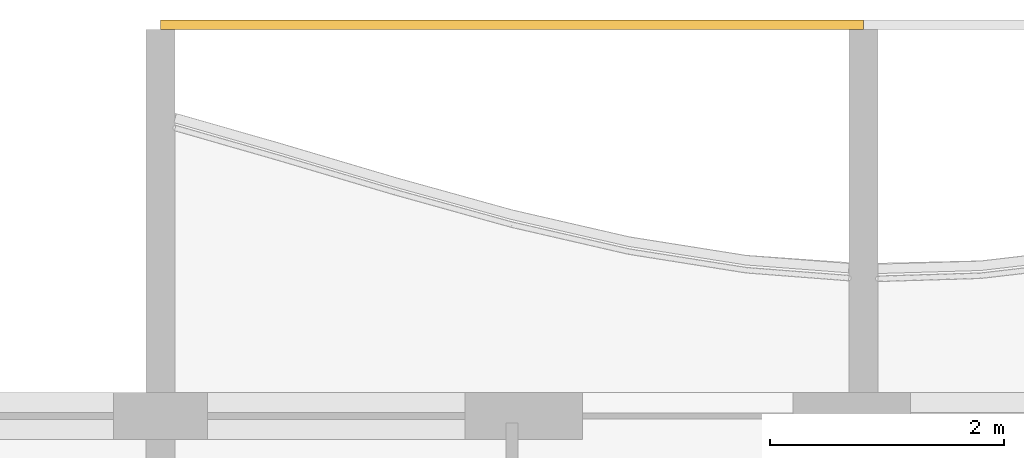
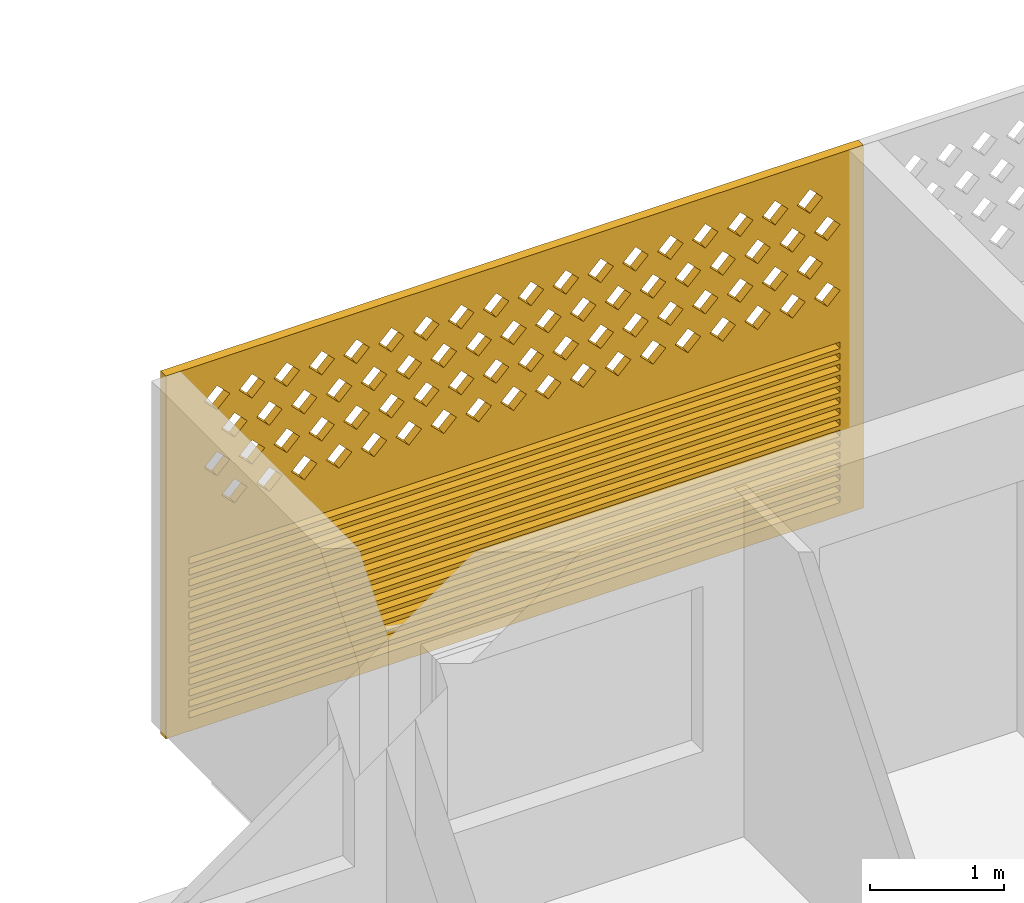
# One storey, part 19 of 29: 1 covering.
"""IFC4 building model written with IfcOpenShell, lengths in metres."""

from ifc_helpers import new_model, si_unit, direction, frame, origin, place, context, subcontext, project, spatial, polyline, outline, extrude, source, transform, mapped, material, material_profile, profile_set, type_object, element, save


model = new_model("IFC4")

# Units and contexts
model_context = context("Model", 3, precision=1e-05, world=origin(), true_north=direction((0.0, 1.0)))
body_context = subcontext(model_context, "Body", "Model", "MODEL_VIEW")
ifc_project = project(units=[si_unit("LENGTHUNIT", "METRE"), si_unit("AREAUNIT", "SQUARE_METRE"), si_unit("VOLUMEUNIT", "CUBIC_METRE"), si_unit("PLANEANGLEUNIT", "RADIAN"), si_unit("MASSUNIT", "GRAM", prefix="KILO")], contexts=[model_context])

# Site, building, storey
site_placement = place(None, origin())
site = spatial("IfcSite", under=ifc_project, at=site_placement, CompositionType="ELEMENT")
building_placement = place(site_placement, origin())
building = spatial("IfcBuilding", under=site, at=building_placement, Name="Poui Terraces", CompositionType="ELEMENT")
storey_placement = place(building_placement, frame((0.0, 0.0, 231.300048828125)))
storey = spatial("IfcBuildingStorey", under=building, at=storey_placement, Name="L64", CompositionType="ELEMENT", Elevation=231.300048828125)

# Covering
ifc_material = material(Name="Terracotta screen", Category="masonry")
ifc_material_profile = material_profile(ifc_material, outline(polyline([(-3.0, -1.64990234375), (3.0, -1.64990234375), (3.0, 1.64990234375), (-3.0, 1.64990234375), (-3.0, -1.64990234375)]), holes=[polyline([(-2.800048828125, 0.39990234375), (-2.68994140625, 0.2900390625), (-2.580078125, 0.39990234375), (-2.68994140625, 0.510009765625), (-2.800048828125, 0.39990234375)]), polyline([(-2.5, 0.39990234375), (-2.389892578125, 0.2900390625), (-2.280029296875, 0.39990234375), (-2.389892578125, 0.510009765625), (-2.5, 0.39990234375)]), polyline([(-2.199951171875, 0.39990234375), (-2.090087890625, 0.2900390625), (-1.97998046875, 0.39990234375), (-2.090087890625, 0.510009765625), (-2.199951171875, 0.39990234375)]), polyline([(-1.89990234375, 0.39990234375), (-1.7900390625, 0.2900390625), (-1.679931640625, 0.39990234375), (-1.7900390625, 0.510009765625), (-1.89990234375, 0.39990234375)]), polyline([(-1.60009765625, 0.39990234375), (-1.489990234375, 0.2900390625), (-1.3798828125, 0.39990234375), (-1.489990234375, 0.510009765625), (-1.60009765625, 0.39990234375)]), polyline([(-1.300048828125, 0.39990234375), (-1.18994140625, 0.2900390625), (-1.080078125, 0.39990234375), (-1.18994140625, 0.510009765625), (-1.300048828125, 0.39990234375)]), polyline([(-1.0, 0.39990234375), (-0.889892578125, 0.2900390625), (-0.780029296875, 0.39990234375), (-0.889892578125, 0.510009765625), (-1.0, 0.39990234375)]), polyline([(-0.699951171875, 0.39990234375), (-0.590087890625, 0.2900390625), (-0.47998046875, 0.39990234375), (-0.590087890625, 0.510009765625), (-0.699951171875, 0.39990234375)]), polyline([(-0.39990234375, 0.39990234375), (-0.2900390625, 0.2900390625), (-0.179931640625, 0.39990234375), (-0.2900390625, 0.510009765625), (-0.39990234375, 0.39990234375)]), polyline([(-0.10009765625, 0.39990234375), (0.010009765625, 0.2900390625), (0.1201171875, 0.39990234375), (0.010009765625, 0.510009765625), (-0.10009765625, 0.39990234375)]), polyline([(0.199951171875, 0.39990234375), (0.31005859375, 0.2900390625), (0.419921875, 0.39990234375), (0.31005859375, 0.510009765625), (0.199951171875, 0.39990234375)]), polyline([(0.5, 0.39990234375), (0.610107421875, 0.2900390625), (0.719970703125, 0.39990234375), (0.610107421875, 0.510009765625), (0.5, 0.39990234375)]), polyline([(0.800048828125, 0.39990234375), (0.909912109375, 0.2900390625), (1.02001953125, 0.39990234375), (0.909912109375, 0.510009765625), (0.800048828125, 0.39990234375)]), polyline([(1.10009765625, 0.39990234375), (1.2099609375, 0.2900390625), (1.320068359375, 0.39990234375), (1.2099609375, 0.510009765625), (1.10009765625, 0.39990234375)]), polyline([(1.39990234375, 0.39990234375), (1.510009765625, 0.2900390625), (1.6201171875, 0.39990234375), (1.510009765625, 0.510009765625), (1.39990234375, 0.39990234375)]), polyline([(1.699951171875, 0.39990234375), (1.81005859375, 0.2900390625), (1.919921875, 0.39990234375), (1.81005859375, 0.510009765625), (1.699951171875, 0.39990234375)]), polyline([(2.0, 0.39990234375), (2.110107421875, 0.2900390625), (2.219970703125, 0.39990234375), (2.110107421875, 0.510009765625), (2.0, 0.39990234375)]), polyline([(2.300048828125, 0.39990234375), (2.409912109375, 0.2900390625), (2.52001953125, 0.39990234375), (2.409912109375, 0.510009765625), (2.300048828125, 0.39990234375)]), polyline([(-2.64990234375, 0.699951171875), (-2.5400390625, 0.590087890625), (-2.429931640625, 0.699951171875), (-2.5400390625, 0.81005859375), (-2.64990234375, 0.699951171875)]), polyline([(-2.35009765625, 0.699951171875), (-2.239990234375, 0.590087890625), (-2.1298828125, 0.699951171875), (-2.239990234375, 0.81005859375), (-2.35009765625, 0.699951171875)]), polyline([(-2.050048828125, 0.699951171875), (-1.93994140625, 0.590087890625), (-1.830078125, 0.699951171875), (-1.93994140625, 0.81005859375), (-2.050048828125, 0.699951171875)]), polyline([(-1.75, 0.699951171875), (-1.639892578125, 0.590087890625), (-1.530029296875, 0.699951171875), (-1.639892578125, 0.81005859375), (-1.75, 0.699951171875)]), polyline([(-1.449951171875, 0.699951171875), (-1.340087890625, 0.590087890625), (-1.22998046875, 0.699951171875), (-1.340087890625, 0.81005859375), (-1.449951171875, 0.699951171875)]), polyline([(-1.14990234375, 0.699951171875), (-1.0400390625, 0.590087890625), (-0.929931640625, 0.699951171875), (-1.0400390625, 0.81005859375), (-1.14990234375, 0.699951171875)]), polyline([(-0.85009765625, 0.699951171875), (-0.739990234375, 0.590087890625), (-0.6298828125, 0.699951171875), (-0.739990234375, 0.81005859375), (-0.85009765625, 0.699951171875)]), polyline([(-0.550048828125, 0.699951171875), (-0.43994140625, 0.590087890625), (-0.330078125, 0.699951171875), (-0.43994140625, 0.81005859375), (-0.550048828125, 0.699951171875)]), polyline([(-0.25, 0.699951171875), (-0.139892578125, 0.590087890625), (-0.030029296875, 0.699951171875), (-0.139892578125, 0.81005859375), (-0.25, 0.699951171875)]), polyline([(0.050048828125, 0.699951171875), (0.159912109375, 0.590087890625), (0.27001953125, 0.699951171875), (0.159912109375, 0.81005859375), (0.050048828125, 0.699951171875)]), polyline([(0.35009765625, 0.699951171875), (0.4599609375, 0.590087890625), (0.570068359375, 0.699951171875), (0.4599609375, 0.81005859375), (0.35009765625, 0.699951171875)]), polyline([(0.64990234375, 0.699951171875), (0.760009765625, 0.590087890625), (0.8701171875, 0.699951171875), (0.760009765625, 0.81005859375), (0.64990234375, 0.699951171875)]), polyline([(0.949951171875, 0.699951171875), (1.06005859375, 0.590087890625), (1.169921875, 0.699951171875), (1.06005859375, 0.81005859375), (0.949951171875, 0.699951171875)]), polyline([(1.25, 0.699951171875), (1.360107421875, 0.590087890625), (1.469970703125, 0.699951171875), (1.360107421875, 0.81005859375), (1.25, 0.699951171875)]), polyline([(1.550048828125, 0.699951171875), (1.659912109375, 0.590087890625), (1.77001953125, 0.699951171875), (1.659912109375, 0.81005859375), (1.550048828125, 0.699951171875)]), polyline([(1.85009765625, 0.699951171875), (1.9599609375, 0.590087890625), (2.070068359375, 0.699951171875), (1.9599609375, 0.81005859375), (1.85009765625, 0.699951171875)]), polyline([(2.14990234375, 0.699951171875), (2.260009765625, 0.590087890625), (2.3701171875, 0.699951171875), (2.260009765625, 0.81005859375), (2.14990234375, 0.699951171875)]), polyline([(2.449951171875, 0.699951171875), (2.56005859375, 0.590087890625), (2.669921875, 0.699951171875), (2.56005859375, 0.81005859375), (2.449951171875, 0.699951171875)]), polyline([(-2.800048828125, 1.0), (-2.68994140625, 0.889892578125), (-2.580078125, 1.0), (-2.68994140625, 1.110107421875), (-2.800048828125, 1.0)]), polyline([(-2.5, 1.0), (-2.389892578125, 0.889892578125), (-2.280029296875, 1.0), (-2.389892578125, 1.110107421875), (-2.5, 1.0)]), polyline([(-2.199951171875, 1.0), (-2.090087890625, 0.889892578125), (-1.97998046875, 1.0), (-2.090087890625, 1.110107421875), (-2.199951171875, 1.0)]), polyline([(-1.89990234375, 1.0), (-1.7900390625, 0.889892578125), (-1.679931640625, 1.0), (-1.7900390625, 1.110107421875), (-1.89990234375, 1.0)]), polyline([(-1.60009765625, 1.0), (-1.489990234375, 0.889892578125), (-1.3798828125, 1.0), (-1.489990234375, 1.110107421875), (-1.60009765625, 1.0)]), polyline([(-1.300048828125, 1.0), (-1.18994140625, 0.889892578125), (-1.080078125, 1.0), (-1.18994140625, 1.110107421875), (-1.300048828125, 1.0)]), polyline([(-1.0, 1.0), (-0.889892578125, 0.889892578125), (-0.780029296875, 1.0), (-0.889892578125, 1.110107421875), (-1.0, 1.0)]), polyline([(-0.699951171875, 1.0), (-0.590087890625, 0.889892578125), (-0.47998046875, 1.0), (-0.590087890625, 1.110107421875), (-0.699951171875, 1.0)]), polyline([(-0.39990234375, 1.0), (-0.2900390625, 0.889892578125), (-0.179931640625, 1.0), (-0.2900390625, 1.110107421875), (-0.39990234375, 1.0)]), polyline([(-0.10009765625, 1.0), (0.010009765625, 0.889892578125), (0.1201171875, 1.0), (0.010009765625, 1.110107421875), (-0.10009765625, 1.0)]), polyline([(0.199951171875, 1.0), (0.31005859375, 0.889892578125), (0.419921875, 1.0), (0.31005859375, 1.110107421875), (0.199951171875, 1.0)]), polyline([(0.5, 1.0), (0.610107421875, 0.889892578125), (0.719970703125, 1.0), (0.610107421875, 1.110107421875), (0.5, 1.0)]), polyline([(0.800048828125, 1.0), (0.909912109375, 0.889892578125), (1.02001953125, 1.0), (0.909912109375, 1.110107421875), (0.800048828125, 1.0)]), polyline([(1.10009765625, 1.0), (1.2099609375, 0.889892578125), (1.320068359375, 1.0), (1.2099609375, 1.110107421875), (1.10009765625, 1.0)]), polyline([(1.39990234375, 1.0), (1.510009765625, 0.889892578125), (1.6201171875, 1.0), (1.510009765625, 1.110107421875), (1.39990234375, 1.0)]), polyline([(1.699951171875, 1.0), (1.81005859375, 0.889892578125), (1.919921875, 1.0), (1.81005859375, 1.110107421875), (1.699951171875, 1.0)]), polyline([(2.0, 1.0), (2.110107421875, 0.889892578125), (2.219970703125, 1.0), (2.110107421875, 1.110107421875), (2.0, 1.0)]), polyline([(2.300048828125, 1.0), (2.409912109375, 0.889892578125), (2.52001953125, 1.0), (2.409912109375, 1.110107421875), (2.300048828125, 1.0)]), polyline([(-2.64990234375, 1.300048828125), (-2.5400390625, 1.18994140625), (-2.429931640625, 1.300048828125), (-2.5400390625, 1.409912109375), (-2.64990234375, 1.300048828125)]), polyline([(-2.35009765625, 1.300048828125), (-2.239990234375, 1.18994140625), (-2.1298828125, 1.300048828125), (-2.239990234375, 1.409912109375), (-2.35009765625, 1.300048828125)]), polyline([(-2.050048828125, 1.300048828125), (-1.93994140625, 1.18994140625), (-1.830078125, 1.300048828125), (-1.93994140625, 1.409912109375), (-2.050048828125, 1.300048828125)]), polyline([(-1.75, 1.300048828125), (-1.639892578125, 1.18994140625), (-1.530029296875, 1.300048828125), (-1.639892578125, 1.409912109375), (-1.75, 1.300048828125)]), polyline([(-1.449951171875, 1.300048828125), (-1.340087890625, 1.18994140625), (-1.22998046875, 1.300048828125), (-1.340087890625, 1.409912109375), (-1.449951171875, 1.300048828125)]), polyline([(-1.14990234375, 1.300048828125), (-1.0400390625, 1.18994140625), (-0.929931640625, 1.300048828125), (-1.0400390625, 1.409912109375), (-1.14990234375, 1.300048828125)]), polyline([(-0.85009765625, 1.300048828125), (-0.739990234375, 1.18994140625), (-0.6298828125, 1.300048828125), (-0.739990234375, 1.409912109375), (-0.85009765625, 1.300048828125)]), polyline([(-0.550048828125, 1.300048828125), (-0.43994140625, 1.18994140625), (-0.330078125, 1.300048828125), (-0.43994140625, 1.409912109375), (-0.550048828125, 1.300048828125)]), polyline([(-0.25, 1.300048828125), (-0.139892578125, 1.18994140625), (-0.030029296875, 1.300048828125), (-0.139892578125, 1.409912109375), (-0.25, 1.300048828125)]), polyline([(0.050048828125, 1.300048828125), (0.159912109375, 1.18994140625), (0.27001953125, 1.300048828125), (0.159912109375, 1.409912109375), (0.050048828125, 1.300048828125)]), polyline([(0.35009765625, 1.300048828125), (0.4599609375, 1.18994140625), (0.570068359375, 1.300048828125), (0.4599609375, 1.409912109375), (0.35009765625, 1.300048828125)]), polyline([(0.64990234375, 1.300048828125), (0.760009765625, 1.18994140625), (0.8701171875, 1.300048828125), (0.760009765625, 1.409912109375), (0.64990234375, 1.300048828125)]), polyline([(0.949951171875, 1.300048828125), (1.06005859375, 1.18994140625), (1.169921875, 1.300048828125), (1.06005859375, 1.409912109375), (0.949951171875, 1.300048828125)]), polyline([(1.25, 1.300048828125), (1.360107421875, 1.18994140625), (1.469970703125, 1.300048828125), (1.360107421875, 1.409912109375), (1.25, 1.300048828125)]), polyline([(1.550048828125, 1.300048828125), (1.659912109375, 1.18994140625), (1.77001953125, 1.300048828125), (1.659912109375, 1.409912109375), (1.550048828125, 1.300048828125)]), polyline([(1.85009765625, 1.300048828125), (1.9599609375, 1.18994140625), (2.070068359375, 1.300048828125), (1.9599609375, 1.409912109375), (1.85009765625, 1.300048828125)]), polyline([(2.14990234375, 1.300048828125), (2.260009765625, 1.18994140625), (2.3701171875, 1.300048828125), (2.260009765625, 1.409912109375), (2.14990234375, 1.300048828125)]), polyline([(2.449951171875, 1.300048828125), (2.56005859375, 1.18994140625), (2.669921875, 1.300048828125), (2.56005859375, 1.409912109375), (2.449951171875, 1.300048828125)]), polyline([(-2.800048828125, -1.530029296875), (2.800048828125, -1.530029296875), (2.800048828125, -1.469970703125), (-2.800048828125, -1.469970703125), (-2.800048828125, -1.530029296875)]), polyline([(-2.800048828125, -1.429931640625), (2.800048828125, -1.429931640625), (2.800048828125, -1.3701171875), (-2.800048828125, -1.3701171875), (-2.800048828125, -1.429931640625)]), polyline([(-2.800048828125, -1.330078125), (2.800048828125, -1.330078125), (2.800048828125, -1.27001953125), (-2.800048828125, -1.27001953125), (-2.800048828125, -1.330078125)]), polyline([(-2.800048828125, -1.22998046875), (2.800048828125, -1.22998046875), (2.800048828125, -1.169921875), (-2.800048828125, -1.169921875), (-2.800048828125, -1.22998046875)]), polyline([(-2.800048828125, -1.1298828125), (2.800048828125, -1.1298828125), (2.800048828125, -1.070068359375), (-2.800048828125, -1.070068359375), (-2.800048828125, -1.1298828125)]), polyline([(-2.800048828125, -1.030029296875), (2.800048828125, -1.030029296875), (2.800048828125, -0.969970703125), (-2.800048828125, -0.969970703125), (-2.800048828125, -1.030029296875)]), polyline([(-2.800048828125, -0.929931640625), (2.800048828125, -0.929931640625), (2.800048828125, -0.8701171875), (-2.800048828125, -0.8701171875), (-2.800048828125, -0.929931640625)]), polyline([(-2.800048828125, -0.830078125), (2.800048828125, -0.830078125), (2.800048828125, -0.77001953125), (-2.800048828125, -0.77001953125), (-2.800048828125, -0.830078125)]), polyline([(-2.800048828125, -0.72998046875), (2.800048828125, -0.72998046875), (2.800048828125, -0.669921875), (-2.800048828125, -0.669921875), (-2.800048828125, -0.72998046875)]), polyline([(-2.800048828125, -0.6298828125), (2.800048828125, -0.6298828125), (2.800048828125, -0.570068359375), (-2.800048828125, -0.570068359375), (-2.800048828125, -0.6298828125)]), polyline([(-2.800048828125, -0.530029296875), (2.800048828125, -0.530029296875), (2.800048828125, -0.469970703125), (-2.800048828125, -0.469970703125), (-2.800048828125, -0.530029296875)]), polyline([(-2.800048828125, -0.429931640625), (2.800048828125, -0.429931640625), (2.800048828125, -0.3701171875), (-2.800048828125, -0.3701171875), (-2.800048828125, -0.429931640625)]), polyline([(-2.800048828125, -0.330078125), (2.800048828125, -0.330078125), (2.800048828125, -0.27001953125), (-2.800048828125, -0.27001953125), (-2.800048828125, -0.330078125)]), polyline([(-2.800048828125, -0.22998046875), (2.800048828125, -0.22998046875), (2.800048828125, -0.169921875), (-2.800048828125, -0.169921875), (-2.800048828125, -0.22998046875)]), polyline([(-2.800048828125, -0.1298828125), (2.800048828125, -0.1298828125), (2.800048828125, -0.070068359375), (-2.800048828125, -0.070068359375), (-2.800048828125, -0.1298828125)])]), Name="TERRACOTTA SCREEN AND JALOUSIE LOUVRE 6000X3300")
ifc_profile_set = profile_set([ifc_material_profile], Name="Terracotta screen")
covering_type = type_object("IfcCoveringType", Name="TERRACOTTA SCREEN AND JALOUSIE LOUVRE 6000X3300", PredefinedType="CLADDING", material=ifc_profile_set)
shared_shape = source(origin(), body_context, "Body", "SweptSolid", [
    extrude(outline(polyline([(-3.0, -1.64990234375), (3.0, -1.64990234375), (3.0, 1.64990234375), (-3.0, 1.64990234375), (-3.0, -1.64990234375)]), holes=[polyline([(-2.800048828125, 0.39990234375), (-2.68994140625, 0.2900390625), (-2.580078125, 0.39990234375), (-2.68994140625, 0.510009765625), (-2.800048828125, 0.39990234375)]), polyline([(-2.5, 0.39990234375), (-2.389892578125, 0.2900390625), (-2.280029296875, 0.39990234375), (-2.389892578125, 0.510009765625), (-2.5, 0.39990234375)]), polyline([(-2.199951171875, 0.39990234375), (-2.090087890625, 0.2900390625), (-1.97998046875, 0.39990234375), (-2.090087890625, 0.510009765625), (-2.199951171875, 0.39990234375)]), polyline([(-1.89990234375, 0.39990234375), (-1.7900390625, 0.2900390625), (-1.679931640625, 0.39990234375), (-1.7900390625, 0.510009765625), (-1.89990234375, 0.39990234375)]), polyline([(-1.60009765625, 0.39990234375), (-1.489990234375, 0.2900390625), (-1.3798828125, 0.39990234375), (-1.489990234375, 0.510009765625), (-1.60009765625, 0.39990234375)]), polyline([(-1.300048828125, 0.39990234375), (-1.18994140625, 0.2900390625), (-1.080078125, 0.39990234375), (-1.18994140625, 0.510009765625), (-1.300048828125, 0.39990234375)]), polyline([(-1.0, 0.39990234375), (-0.889892578125, 0.2900390625), (-0.780029296875, 0.39990234375), (-0.889892578125, 0.510009765625), (-1.0, 0.39990234375)]), polyline([(-0.699951171875, 0.39990234375), (-0.590087890625, 0.2900390625), (-0.47998046875, 0.39990234375), (-0.590087890625, 0.510009765625), (-0.699951171875, 0.39990234375)]), polyline([(-0.39990234375, 0.39990234375), (-0.2900390625, 0.2900390625), (-0.179931640625, 0.39990234375), (-0.2900390625, 0.510009765625), (-0.39990234375, 0.39990234375)]), polyline([(-0.10009765625, 0.39990234375), (0.010009765625, 0.2900390625), (0.1201171875, 0.39990234375), (0.010009765625, 0.510009765625), (-0.10009765625, 0.39990234375)]), polyline([(0.199951171875, 0.39990234375), (0.31005859375, 0.2900390625), (0.419921875, 0.39990234375), (0.31005859375, 0.510009765625), (0.199951171875, 0.39990234375)]), polyline([(0.5, 0.39990234375), (0.610107421875, 0.2900390625), (0.719970703125, 0.39990234375), (0.610107421875, 0.510009765625), (0.5, 0.39990234375)]), polyline([(0.800048828125, 0.39990234375), (0.909912109375, 0.2900390625), (1.02001953125, 0.39990234375), (0.909912109375, 0.510009765625), (0.800048828125, 0.39990234375)]), polyline([(1.10009765625, 0.39990234375), (1.2099609375, 0.2900390625), (1.320068359375, 0.39990234375), (1.2099609375, 0.510009765625), (1.10009765625, 0.39990234375)]), polyline([(1.39990234375, 0.39990234375), (1.510009765625, 0.2900390625), (1.6201171875, 0.39990234375), (1.510009765625, 0.510009765625), (1.39990234375, 0.39990234375)]), polyline([(1.699951171875, 0.39990234375), (1.81005859375, 0.2900390625), (1.919921875, 0.39990234375), (1.81005859375, 0.510009765625), (1.699951171875, 0.39990234375)]), polyline([(2.0, 0.39990234375), (2.110107421875, 0.2900390625), (2.219970703125, 0.39990234375), (2.110107421875, 0.510009765625), (2.0, 0.39990234375)]), polyline([(2.300048828125, 0.39990234375), (2.409912109375, 0.2900390625), (2.52001953125, 0.39990234375), (2.409912109375, 0.510009765625), (2.300048828125, 0.39990234375)]), polyline([(-2.64990234375, 0.699951171875), (-2.5400390625, 0.590087890625), (-2.429931640625, 0.699951171875), (-2.5400390625, 0.81005859375), (-2.64990234375, 0.699951171875)]), polyline([(-2.35009765625, 0.699951171875), (-2.239990234375, 0.590087890625), (-2.1298828125, 0.699951171875), (-2.239990234375, 0.81005859375), (-2.35009765625, 0.699951171875)]), polyline([(-2.050048828125, 0.699951171875), (-1.93994140625, 0.590087890625), (-1.830078125, 0.699951171875), (-1.93994140625, 0.81005859375), (-2.050048828125, 0.699951171875)]), polyline([(-1.75, 0.699951171875), (-1.639892578125, 0.590087890625), (-1.530029296875, 0.699951171875), (-1.639892578125, 0.81005859375), (-1.75, 0.699951171875)]), polyline([(-1.449951171875, 0.699951171875), (-1.340087890625, 0.590087890625), (-1.22998046875, 0.699951171875), (-1.340087890625, 0.81005859375), (-1.449951171875, 0.699951171875)]), polyline([(-1.14990234375, 0.699951171875), (-1.0400390625, 0.590087890625), (-0.929931640625, 0.699951171875), (-1.0400390625, 0.81005859375), (-1.14990234375, 0.699951171875)]), polyline([(-0.85009765625, 0.699951171875), (-0.739990234375, 0.590087890625), (-0.6298828125, 0.699951171875), (-0.739990234375, 0.81005859375), (-0.85009765625, 0.699951171875)]), polyline([(-0.550048828125, 0.699951171875), (-0.43994140625, 0.590087890625), (-0.330078125, 0.699951171875), (-0.43994140625, 0.81005859375), (-0.550048828125, 0.699951171875)]), polyline([(-0.25, 0.699951171875), (-0.139892578125, 0.590087890625), (-0.030029296875, 0.699951171875), (-0.139892578125, 0.81005859375), (-0.25, 0.699951171875)]), polyline([(0.050048828125, 0.699951171875), (0.159912109375, 0.590087890625), (0.27001953125, 0.699951171875), (0.159912109375, 0.81005859375), (0.050048828125, 0.699951171875)]), polyline([(0.35009765625, 0.699951171875), (0.4599609375, 0.590087890625), (0.570068359375, 0.699951171875), (0.4599609375, 0.81005859375), (0.35009765625, 0.699951171875)]), polyline([(0.64990234375, 0.699951171875), (0.760009765625, 0.590087890625), (0.8701171875, 0.699951171875), (0.760009765625, 0.81005859375), (0.64990234375, 0.699951171875)]), polyline([(0.949951171875, 0.699951171875), (1.06005859375, 0.590087890625), (1.169921875, 0.699951171875), (1.06005859375, 0.81005859375), (0.949951171875, 0.699951171875)]), polyline([(1.25, 0.699951171875), (1.360107421875, 0.590087890625), (1.469970703125, 0.699951171875), (1.360107421875, 0.81005859375), (1.25, 0.699951171875)]), polyline([(1.550048828125, 0.699951171875), (1.659912109375, 0.590087890625), (1.77001953125, 0.699951171875), (1.659912109375, 0.81005859375), (1.550048828125, 0.699951171875)]), polyline([(1.85009765625, 0.699951171875), (1.9599609375, 0.590087890625), (2.070068359375, 0.699951171875), (1.9599609375, 0.81005859375), (1.85009765625, 0.699951171875)]), polyline([(2.14990234375, 0.699951171875), (2.260009765625, 0.590087890625), (2.3701171875, 0.699951171875), (2.260009765625, 0.81005859375), (2.14990234375, 0.699951171875)]), polyline([(2.449951171875, 0.699951171875), (2.56005859375, 0.590087890625), (2.669921875, 0.699951171875), (2.56005859375, 0.81005859375), (2.449951171875, 0.699951171875)]), polyline([(-2.800048828125, 1.0), (-2.68994140625, 0.889892578125), (-2.580078125, 1.0), (-2.68994140625, 1.110107421875), (-2.800048828125, 1.0)]), polyline([(-2.5, 1.0), (-2.389892578125, 0.889892578125), (-2.280029296875, 1.0), (-2.389892578125, 1.110107421875), (-2.5, 1.0)]), polyline([(-2.199951171875, 1.0), (-2.090087890625, 0.889892578125), (-1.97998046875, 1.0), (-2.090087890625, 1.110107421875), (-2.199951171875, 1.0)]), polyline([(-1.89990234375, 1.0), (-1.7900390625, 0.889892578125), (-1.679931640625, 1.0), (-1.7900390625, 1.110107421875), (-1.89990234375, 1.0)]), polyline([(-1.60009765625, 1.0), (-1.489990234375, 0.889892578125), (-1.3798828125, 1.0), (-1.489990234375, 1.110107421875), (-1.60009765625, 1.0)]), polyline([(-1.300048828125, 1.0), (-1.18994140625, 0.889892578125), (-1.080078125, 1.0), (-1.18994140625, 1.110107421875), (-1.300048828125, 1.0)]), polyline([(-1.0, 1.0), (-0.889892578125, 0.889892578125), (-0.780029296875, 1.0), (-0.889892578125, 1.110107421875), (-1.0, 1.0)]), polyline([(-0.699951171875, 1.0), (-0.590087890625, 0.889892578125), (-0.47998046875, 1.0), (-0.590087890625, 1.110107421875), (-0.699951171875, 1.0)]), polyline([(-0.39990234375, 1.0), (-0.2900390625, 0.889892578125), (-0.179931640625, 1.0), (-0.2900390625, 1.110107421875), (-0.39990234375, 1.0)]), polyline([(-0.10009765625, 1.0), (0.010009765625, 0.889892578125), (0.1201171875, 1.0), (0.010009765625, 1.110107421875), (-0.10009765625, 1.0)]), polyline([(0.199951171875, 1.0), (0.31005859375, 0.889892578125), (0.419921875, 1.0), (0.31005859375, 1.110107421875), (0.199951171875, 1.0)]), polyline([(0.5, 1.0), (0.610107421875, 0.889892578125), (0.719970703125, 1.0), (0.610107421875, 1.110107421875), (0.5, 1.0)]), polyline([(0.800048828125, 1.0), (0.909912109375, 0.889892578125), (1.02001953125, 1.0), (0.909912109375, 1.110107421875), (0.800048828125, 1.0)]), polyline([(1.10009765625, 1.0), (1.2099609375, 0.889892578125), (1.320068359375, 1.0), (1.2099609375, 1.110107421875), (1.10009765625, 1.0)]), polyline([(1.39990234375, 1.0), (1.510009765625, 0.889892578125), (1.6201171875, 1.0), (1.510009765625, 1.110107421875), (1.39990234375, 1.0)]), polyline([(1.699951171875, 1.0), (1.81005859375, 0.889892578125), (1.919921875, 1.0), (1.81005859375, 1.110107421875), (1.699951171875, 1.0)]), polyline([(2.0, 1.0), (2.110107421875, 0.889892578125), (2.219970703125, 1.0), (2.110107421875, 1.110107421875), (2.0, 1.0)]), polyline([(2.300048828125, 1.0), (2.409912109375, 0.889892578125), (2.52001953125, 1.0), (2.409912109375, 1.110107421875), (2.300048828125, 1.0)]), polyline([(-2.64990234375, 1.300048828125), (-2.5400390625, 1.18994140625), (-2.429931640625, 1.300048828125), (-2.5400390625, 1.409912109375), (-2.64990234375, 1.300048828125)]), polyline([(-2.35009765625, 1.300048828125), (-2.239990234375, 1.18994140625), (-2.1298828125, 1.300048828125), (-2.239990234375, 1.409912109375), (-2.35009765625, 1.300048828125)]), polyline([(-2.050048828125, 1.300048828125), (-1.93994140625, 1.18994140625), (-1.830078125, 1.300048828125), (-1.93994140625, 1.409912109375), (-2.050048828125, 1.300048828125)]), polyline([(-1.75, 1.300048828125), (-1.639892578125, 1.18994140625), (-1.530029296875, 1.300048828125), (-1.639892578125, 1.409912109375), (-1.75, 1.300048828125)]), polyline([(-1.449951171875, 1.300048828125), (-1.340087890625, 1.18994140625), (-1.22998046875, 1.300048828125), (-1.340087890625, 1.409912109375), (-1.449951171875, 1.300048828125)]), polyline([(-1.14990234375, 1.300048828125), (-1.0400390625, 1.18994140625), (-0.929931640625, 1.300048828125), (-1.0400390625, 1.409912109375), (-1.14990234375, 1.300048828125)]), polyline([(-0.85009765625, 1.300048828125), (-0.739990234375, 1.18994140625), (-0.6298828125, 1.300048828125), (-0.739990234375, 1.409912109375), (-0.85009765625, 1.300048828125)]), polyline([(-0.550048828125, 1.300048828125), (-0.43994140625, 1.18994140625), (-0.330078125, 1.300048828125), (-0.43994140625, 1.409912109375), (-0.550048828125, 1.300048828125)]), polyline([(-0.25, 1.300048828125), (-0.139892578125, 1.18994140625), (-0.030029296875, 1.300048828125), (-0.139892578125, 1.409912109375), (-0.25, 1.300048828125)]), polyline([(0.050048828125, 1.300048828125), (0.159912109375, 1.18994140625), (0.27001953125, 1.300048828125), (0.159912109375, 1.409912109375), (0.050048828125, 1.300048828125)]), polyline([(0.35009765625, 1.300048828125), (0.4599609375, 1.18994140625), (0.570068359375, 1.300048828125), (0.4599609375, 1.409912109375), (0.35009765625, 1.300048828125)]), polyline([(0.64990234375, 1.300048828125), (0.760009765625, 1.18994140625), (0.8701171875, 1.300048828125), (0.760009765625, 1.409912109375), (0.64990234375, 1.300048828125)]), polyline([(0.949951171875, 1.300048828125), (1.06005859375, 1.18994140625), (1.169921875, 1.300048828125), (1.06005859375, 1.409912109375), (0.949951171875, 1.300048828125)]), polyline([(1.25, 1.300048828125), (1.360107421875, 1.18994140625), (1.469970703125, 1.300048828125), (1.360107421875, 1.409912109375), (1.25, 1.300048828125)]), polyline([(1.550048828125, 1.300048828125), (1.659912109375, 1.18994140625), (1.77001953125, 1.300048828125), (1.659912109375, 1.409912109375), (1.550048828125, 1.300048828125)]), polyline([(1.85009765625, 1.300048828125), (1.9599609375, 1.18994140625), (2.070068359375, 1.300048828125), (1.9599609375, 1.409912109375), (1.85009765625, 1.300048828125)]), polyline([(2.14990234375, 1.300048828125), (2.260009765625, 1.18994140625), (2.3701171875, 1.300048828125), (2.260009765625, 1.409912109375), (2.14990234375, 1.300048828125)]), polyline([(2.449951171875, 1.300048828125), (2.56005859375, 1.18994140625), (2.669921875, 1.300048828125), (2.56005859375, 1.409912109375), (2.449951171875, 1.300048828125)]), polyline([(-2.800048828125, -1.530029296875), (2.800048828125, -1.530029296875), (2.800048828125, -1.469970703125), (-2.800048828125, -1.469970703125), (-2.800048828125, -1.530029296875)]), polyline([(-2.800048828125, -1.429931640625), (2.800048828125, -1.429931640625), (2.800048828125, -1.3701171875), (-2.800048828125, -1.3701171875), (-2.800048828125, -1.429931640625)]), polyline([(-2.800048828125, -1.330078125), (2.800048828125, -1.330078125), (2.800048828125, -1.27001953125), (-2.800048828125, -1.27001953125), (-2.800048828125, -1.330078125)]), polyline([(-2.800048828125, -1.22998046875), (2.800048828125, -1.22998046875), (2.800048828125, -1.169921875), (-2.800048828125, -1.169921875), (-2.800048828125, -1.22998046875)]), polyline([(-2.800048828125, -1.1298828125), (2.800048828125, -1.1298828125), (2.800048828125, -1.070068359375), (-2.800048828125, -1.070068359375), (-2.800048828125, -1.1298828125)]), polyline([(-2.800048828125, -1.030029296875), (2.800048828125, -1.030029296875), (2.800048828125, -0.969970703125), (-2.800048828125, -0.969970703125), (-2.800048828125, -1.030029296875)]), polyline([(-2.800048828125, -0.929931640625), (2.800048828125, -0.929931640625), (2.800048828125, -0.8701171875), (-2.800048828125, -0.8701171875), (-2.800048828125, -0.929931640625)]), polyline([(-2.800048828125, -0.830078125), (2.800048828125, -0.830078125), (2.800048828125, -0.77001953125), (-2.800048828125, -0.77001953125), (-2.800048828125, -0.830078125)]), polyline([(-2.800048828125, -0.72998046875), (2.800048828125, -0.72998046875), (2.800048828125, -0.669921875), (-2.800048828125, -0.669921875), (-2.800048828125, -0.72998046875)]), polyline([(-2.800048828125, -0.6298828125), (2.800048828125, -0.6298828125), (2.800048828125, -0.570068359375), (-2.800048828125, -0.570068359375), (-2.800048828125, -0.6298828125)]), polyline([(-2.800048828125, -0.530029296875), (2.800048828125, -0.530029296875), (2.800048828125, -0.469970703125), (-2.800048828125, -0.469970703125), (-2.800048828125, -0.530029296875)]), polyline([(-2.800048828125, -0.429931640625), (2.800048828125, -0.429931640625), (2.800048828125, -0.3701171875), (-2.800048828125, -0.3701171875), (-2.800048828125, -0.429931640625)]), polyline([(-2.800048828125, -0.330078125), (2.800048828125, -0.330078125), (2.800048828125, -0.27001953125), (-2.800048828125, -0.27001953125), (-2.800048828125, -0.330078125)]), polyline([(-2.800048828125, -0.22998046875), (2.800048828125, -0.22998046875), (2.800048828125, -0.169921875), (-2.800048828125, -0.169921875), (-2.800048828125, -0.22998046875)]), polyline([(-2.800048828125, -0.1298828125), (2.800048828125, -0.1298828125), (2.800048828125, -0.070068359375), (-2.800048828125, -0.070068359375), (-2.800048828125, -0.1298828125)])]), origin(), (0.0, 0.0, 1.0), 0.080078125),
])
covering_placement = place(storey_placement, frame((39.0, 44.5, 1.449951171875), z_axis=(0.0, 1.0, 0.0), x_axis=(-1.0, 0.0, 0.0)))
element("IfcCovering", 1, at=covering_placement, inside=storey, type_object=covering_type, Name="SOLAR SCREEN AND JALOUSIE LOUVRE", PredefinedType="CLADDING", context=body_context, shape_type="MappedRepresentation", body=[
    mapped(shared_shape, transform((0.0, 0.0, 0.0))),
])

save(model, "model.ifc")
